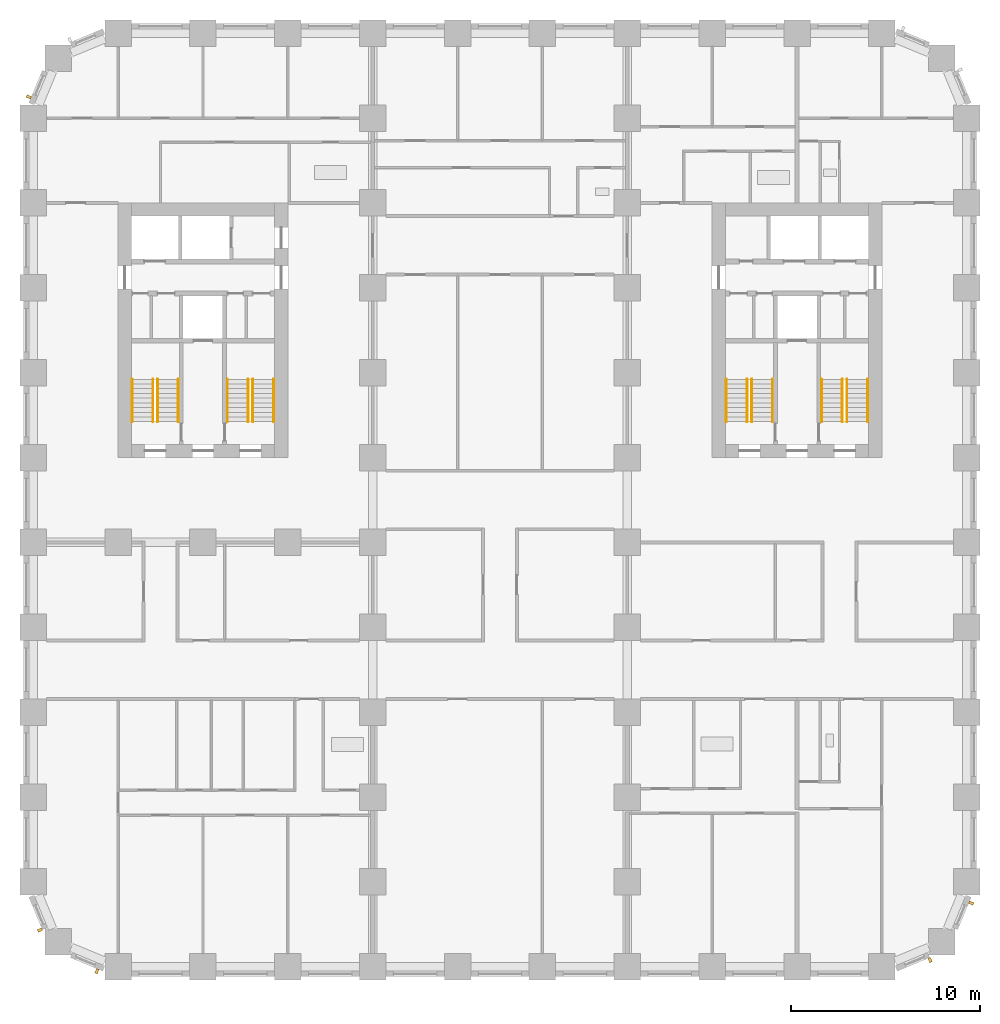
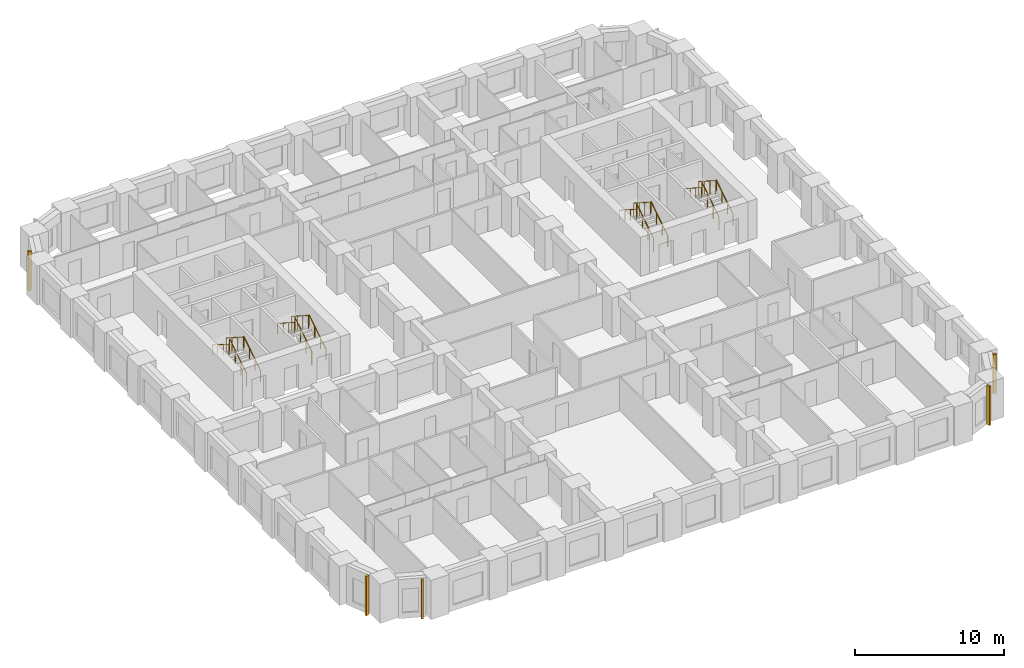
# One storey, part 11 of 13: 16 railings, 5 shading devices.
"""IFC4 building model written with IfcOpenShell, lengths in metres."""

from ifc_helpers import new_model, si_unit, direction, frame, origin, origin_2d, place, context, subcontext, project, spatial, rectangle, circle, extrude, material, type_object, element, save


model = new_model("IFC4")

# Units and contexts
model_context = context("Model", 3, precision=1e-05, world=origin(), true_north=direction((0.0, 1.0)))
body_context = subcontext(model_context, "Body", "Model", "MODEL_VIEW")
ifc_project = project(units=[si_unit("LENGTHUNIT", "METRE"), si_unit("AREAUNIT", "SQUARE_METRE"), si_unit("VOLUMEUNIT", "CUBIC_METRE"), si_unit("PLANEANGLEUNIT", "RADIAN"), si_unit("MASSUNIT", "GRAM", prefix="KILO")], contexts=[model_context])

# Site, building, storey
site_placement = place(None, origin())
site = spatial("IfcSite", under=ifc_project, at=site_placement, CompositionType="ELEMENT")
building_placement = place(site_placement, origin())
building = spatial("IfcBuilding", under=site, at=building_placement, Name="Girih Gate Residences", CompositionType="ELEMENT")
storey_placement = place(building_placement, frame((0.0, 0.0, 43.199951171875)))
storey = spatial("IfcBuildingStorey", under=building, at=storey_placement, Name="L10", CompositionType="ELEMENT", Elevation=43.199951171875)

# Shading devices
ifc_material_1 = material(Name="Precast concrete C50/60", Category="concrete")
shading_device_type = type_object("IfcShadingDeviceType", Name="Corner rib 150x250", PredefinedType="USERDEFINED", material=ifc_material_1)
for number, where, z_axis, x_axis, name in (
    (1, (0.35498046875, 1.9443359375, 0.0), (0.0, 0.0, 1.0), (0.382683432365, -0.923879532511, 0.0), "Corner rib SW0000_0045.0"),
    (2, (3.376220703125, -0.238037109375, 0.0), (0.0, 0.0, 1.0), (0.923879532511, -0.382683432365, 0.0), "Corner rib SW0013_0013.0"),
    (3, (47.5556640625, 0.35498046875, 0.0), (0.0, 0.0, 1.0), (0.923879532511, 0.382683432365, 0.0), "Corner rib SE0450_0000.0"),
    (4, (49.738037109375, 3.376220703125, 0.0), (0.0, 0.0, 1.0), (0.382683432365, 0.923879532511, 0.0), "Corner rib SE0482_0013.0"),
    (5, (-0.238037109375, 46.123779296875, 0.0), (0.0, 0.0, 1.0), (-0.382683432365, -0.923879532511, 0.0), "Corner rib NW0013_0482.0"),
):
    element("IfcShadingDevice", number, at=place(storey_placement, frame(where, z_axis=z_axis, x_axis=x_axis)), inside=storey, type_object=shading_device_type, Name=name, ObjectType="FIN", PredefinedType="USERDEFINED", context=body_context, shape_type="SweptSolid", body=[
        extrude(rectangle(XDim=0.14990234375, YDim=0.25, at=origin_2d()), origin(), (0.0, 0.0, 1.0), 3.199951171875),
    ])

# Railings
ifc_material_2 = material(Name="Stainless steel", Category="steel")
railing_type_1 = type_object("IfcRailingType", Name="Stair guard 1100", PredefinedType="GUARDRAIL", material=ifc_material_2)
railing_1_placement = place(storey_placement, frame((6.60009765625, 28.89990234375, 0.16015625)))
element("IfcRailing", 6, at=railing_1_placement, inside=storey, type_object=railing_type_1, Name="L10 ST-W1 stair guard 1", PredefinedType="GUARDRAIL", context=body_context, shape_type="SweptSolid", body=[
    extrude(circle(Radius=0.02392578125, at=origin_2d()), frame((0.0, 0.0, 1.076171875), z_axis=(0.0, 0.842281359387, 0.539038135598), x_axis=(-1.0, 0.0, 0.0)), (0.0, 0.0, 1.0), 2.67138671875),
    extrude(circle(Radius=0.02099609375, at=origin_2d()), origin(), (0.0, 0.0, 1.0), 1.052001953125),
    extrude(circle(Radius=0.02099609375, at=origin_2d()), frame((0.0, 0.75, 0.47998046875)), (0.0, 0.0, 1.0), 1.052001953125),
    extrude(circle(Radius=0.02099609375, at=origin_2d()), frame((0.0, 1.5, 0.9599609375)), (0.0, 0.0, 1.0), 1.052001953125),
    extrude(circle(Radius=0.02099609375, at=origin_2d()), frame((0.0, 2.25, 1.43994140625)), (0.0, 0.0, 1.0), 1.052001953125),
])
railing_2_placement = place(storey_placement, frame((6.35009765625, 31.14990234375, 1.760009765625)))
element("IfcRailing", 7, at=railing_2_placement, inside=storey, type_object=railing_type_1, Name="L10 ST-W1 stair guard 2", PredefinedType="GUARDRAIL", context=body_context, shape_type="SweptSolid", body=[
    extrude(circle(Radius=0.02392578125, at=origin_2d()), frame((0.0, 0.0, 1.076171875), z_axis=(0.0, -0.842281359387, 0.539038135598), x_axis=(1.0, 0.0, 0.0)), (0.0, 0.0, 1.0), 2.67138671875),
    extrude(circle(Radius=0.02099609375, at=origin_2d()), origin(), (0.0, 0.0, 1.0), 1.052001953125),
    extrude(circle(Radius=0.02099609375, at=origin_2d()), frame((0.0, -0.75, 0.47998046875)), (0.0, 0.0, 1.0), 1.052001953125),
    extrude(circle(Radius=0.02099609375, at=origin_2d()), frame((0.0, -1.5, 0.9599609375)), (0.0, 0.0, 1.0), 1.052001953125),
    extrude(circle(Radius=0.02099609375, at=origin_2d()), frame((0.0, -2.25, 1.43994140625)), (0.0, 0.0, 1.0), 1.052001953125),
])
railing_3_placement = place(storey_placement, frame((11.64990234375, 28.89990234375, 0.16015625)))
element("IfcRailing", 8, at=railing_3_placement, inside=storey, type_object=railing_type_1, Name="L10 ST-W2 stair guard 1", PredefinedType="GUARDRAIL", context=body_context, shape_type="SweptSolid", body=[
    extrude(circle(Radius=0.02392578125, at=origin_2d()), frame((0.0, 0.0, 1.076171875), z_axis=(0.0, 0.842281359387, 0.539038135598), x_axis=(-1.0, 0.0, 0.0)), (0.0, 0.0, 1.0), 2.67138671875),
    extrude(circle(Radius=0.02099609375, at=origin_2d()), origin(), (0.0, 0.0, 1.0), 1.052001953125),
    extrude(circle(Radius=0.02099609375, at=origin_2d()), frame((0.0, 0.75, 0.47998046875)), (0.0, 0.0, 1.0), 1.052001953125),
    extrude(circle(Radius=0.02099609375, at=origin_2d()), frame((0.0, 1.5, 0.9599609375)), (0.0, 0.0, 1.0), 1.052001953125),
    extrude(circle(Radius=0.02099609375, at=origin_2d()), frame((0.0, 2.25, 1.43994140625)), (0.0, 0.0, 1.0), 1.052001953125),
])
railing_4_placement = place(storey_placement, frame((11.39990234375, 31.14990234375, 1.760009765625)))
element("IfcRailing", 9, at=railing_4_placement, inside=storey, type_object=railing_type_1, Name="L10 ST-W2 stair guard 2", PredefinedType="GUARDRAIL", context=body_context, shape_type="SweptSolid", body=[
    extrude(circle(Radius=0.02392578125, at=origin_2d()), frame((0.0, 0.0, 1.076171875), z_axis=(0.0, -0.842281359387, 0.539038135598), x_axis=(1.0, 0.0, 0.0)), (0.0, 0.0, 1.0), 2.67138671875),
    extrude(circle(Radius=0.02099609375, at=origin_2d()), origin(), (0.0, 0.0, 1.0), 1.052001953125),
    extrude(circle(Radius=0.02099609375, at=origin_2d()), frame((0.0, -0.75, 0.47998046875)), (0.0, 0.0, 1.0), 1.052001953125),
    extrude(circle(Radius=0.02099609375, at=origin_2d()), frame((0.0, -1.5, 0.9599609375)), (0.0, 0.0, 1.0), 1.052001953125),
    extrude(circle(Radius=0.02099609375, at=origin_2d()), frame((0.0, -2.25, 1.43994140625)), (0.0, 0.0, 1.0), 1.052001953125),
])
railing_5_placement = place(storey_placement, frame((43.14990234375, 28.89990234375, 0.16015625)))
element("IfcRailing", 10, at=railing_5_placement, inside=storey, type_object=railing_type_1, Name="L10 ST-E1 stair guard 1", PredefinedType="GUARDRAIL", context=body_context, shape_type="SweptSolid", body=[
    extrude(circle(Radius=0.02392578125, at=origin_2d()), frame((0.0, 0.0, 1.076171875), z_axis=(0.0, 0.842281359387, 0.539038135598), x_axis=(-1.0, 0.0, 0.0)), (0.0, 0.0, 1.0), 2.67138671875),
    extrude(circle(Radius=0.02099609375, at=origin_2d()), origin(), (0.0, 0.0, 1.0), 1.052001953125),
    extrude(circle(Radius=0.02099609375, at=origin_2d()), frame((0.0, 0.75, 0.47998046875)), (0.0, 0.0, 1.0), 1.052001953125),
    extrude(circle(Radius=0.02099609375, at=origin_2d()), frame((0.0, 1.5, 0.9599609375)), (0.0, 0.0, 1.0), 1.052001953125),
    extrude(circle(Radius=0.02099609375, at=origin_2d()), frame((0.0, 2.25, 1.43994140625)), (0.0, 0.0, 1.0), 1.052001953125),
])
railing_6_placement = place(storey_placement, frame((42.89990234375, 31.14990234375, 1.760009765625)))
element("IfcRailing", 11, at=railing_6_placement, inside=storey, type_object=railing_type_1, Name="L10 ST-E1 stair guard 2", PredefinedType="GUARDRAIL", context=body_context, shape_type="SweptSolid", body=[
    extrude(circle(Radius=0.02392578125, at=origin_2d()), frame((0.0, 0.0, 1.076171875), z_axis=(0.0, -0.842281359387, 0.539038135598), x_axis=(1.0, 0.0, 0.0)), (0.0, 0.0, 1.0), 2.67138671875),
    extrude(circle(Radius=0.02099609375, at=origin_2d()), origin(), (0.0, 0.0, 1.0), 1.052001953125),
    extrude(circle(Radius=0.02099609375, at=origin_2d()), frame((0.0, -0.75, 0.47998046875)), (0.0, 0.0, 1.0), 1.052001953125),
    extrude(circle(Radius=0.02099609375, at=origin_2d()), frame((0.0, -1.5, 0.9599609375)), (0.0, 0.0, 1.0), 1.052001953125),
    extrude(circle(Radius=0.02099609375, at=origin_2d()), frame((0.0, -2.25, 1.43994140625)), (0.0, 0.0, 1.0), 1.052001953125),
])
railing_7_placement = place(storey_placement, frame((38.10009765625, 28.89990234375, 0.16015625)))
element("IfcRailing", 12, at=railing_7_placement, inside=storey, type_object=railing_type_1, Name="L10 ST-E2 stair guard 1", PredefinedType="GUARDRAIL", context=body_context, shape_type="SweptSolid", body=[
    extrude(circle(Radius=0.02392578125, at=origin_2d()), frame((0.0, 0.0, 1.076171875), z_axis=(0.0, 0.842281359387, 0.539038135598), x_axis=(-1.0, 0.0, 0.0)), (0.0, 0.0, 1.0), 2.67138671875),
    extrude(circle(Radius=0.02099609375, at=origin_2d()), origin(), (0.0, 0.0, 1.0), 1.052001953125),
    extrude(circle(Radius=0.02099609375, at=origin_2d()), frame((0.0, 0.75, 0.47998046875)), (0.0, 0.0, 1.0), 1.052001953125),
    extrude(circle(Radius=0.02099609375, at=origin_2d()), frame((0.0, 1.5, 0.9599609375)), (0.0, 0.0, 1.0), 1.052001953125),
    extrude(circle(Radius=0.02099609375, at=origin_2d()), frame((0.0, 2.25, 1.43994140625)), (0.0, 0.0, 1.0), 1.052001953125),
])
railing_8_placement = place(storey_placement, frame((37.85009765625, 31.14990234375, 1.760009765625)))
element("IfcRailing", 13, at=railing_8_placement, inside=storey, type_object=railing_type_1, Name="L10 ST-E2 stair guard 2", PredefinedType="GUARDRAIL", context=body_context, shape_type="SweptSolid", body=[
    extrude(circle(Radius=0.02392578125, at=origin_2d()), frame((0.0, 0.0, 1.076171875), z_axis=(0.0, -0.842281359387, 0.539038135598), x_axis=(1.0, 0.0, 0.0)), (0.0, 0.0, 1.0), 2.67138671875),
    extrude(circle(Radius=0.02099609375, at=origin_2d()), origin(), (0.0, 0.0, 1.0), 1.052001953125),
    extrude(circle(Radius=0.02099609375, at=origin_2d()), frame((0.0, -0.75, 0.47998046875)), (0.0, 0.0, 1.0), 1.052001953125),
    extrude(circle(Radius=0.02099609375, at=origin_2d()), frame((0.0, -1.5, 0.9599609375)), (0.0, 0.0, 1.0), 1.052001953125),
    extrude(circle(Radius=0.02099609375, at=origin_2d()), frame((0.0, -2.25, 1.43994140625)), (0.0, 0.0, 1.0), 1.052001953125),
])
railing_type_2 = type_object("IfcRailingType", Name="Stair handrail 900", PredefinedType="HANDRAIL", material=ifc_material_2)
railing_9_placement = place(storey_placement, frame((7.699951171875, 28.89990234375, 0.16015625)))
element("IfcRailing", 14, at=railing_9_placement, inside=storey, type_object=railing_type_2, Name="L10 ST-W1 stair handrail 1", PredefinedType="HANDRAIL", context=body_context, shape_type="SweptSolid", body=[
    extrude(circle(Radius=0.02392578125, at=origin_2d()), frame((0.0, 0.0, 0.8857421875), z_axis=(0.0, 0.842281359387, 0.539038135598), x_axis=(-1.0, 0.0, 0.0)), (0.0, 0.0, 1.0), 2.67138671875),
    extrude(circle(Radius=0.02099609375, at=origin_2d()), origin(), (0.0, 0.0, 1.0), 0.86181640625),
    extrude(circle(Radius=0.02099609375, at=origin_2d()), frame((0.0, 0.75, 0.47998046875)), (0.0, 0.0, 1.0), 0.86181640625),
    extrude(circle(Radius=0.02099609375, at=origin_2d()), frame((0.0, 1.5, 0.9599609375)), (0.0, 0.0, 1.0), 0.86181640625),
    extrude(circle(Radius=0.02099609375, at=origin_2d()), frame((0.0, 2.25, 1.43994140625)), (0.0, 0.0, 1.0), 0.86181640625),
])
railing_10_placement = place(storey_placement, frame((5.25, 31.14990234375, 1.760009765625)))
element("IfcRailing", 15, at=railing_10_placement, inside=storey, type_object=railing_type_2, Name="L10 ST-W1 stair handrail 2", PredefinedType="HANDRAIL", context=body_context, shape_type="SweptSolid", body=[
    extrude(circle(Radius=0.02392578125, at=origin_2d()), frame((0.0, 0.0, 0.8857421875), z_axis=(0.0, -0.842281359387, 0.539038135598), x_axis=(1.0, 0.0, 0.0)), (0.0, 0.0, 1.0), 2.67138671875),
    extrude(circle(Radius=0.02099609375, at=origin_2d()), origin(), (0.0, 0.0, 1.0), 0.86181640625),
    extrude(circle(Radius=0.02099609375, at=origin_2d()), frame((0.0, -0.75, 0.47998046875)), (0.0, 0.0, 1.0), 0.86181640625),
    extrude(circle(Radius=0.02099609375, at=origin_2d()), frame((0.0, -1.5, 0.9599609375)), (0.0, 0.0, 1.0), 0.86181640625),
    extrude(circle(Radius=0.02099609375, at=origin_2d()), frame((0.0, -2.25, 1.43994140625)), (0.0, 0.0, 1.0), 0.86181640625),
])
railing_11_placement = place(storey_placement, frame((12.75, 28.89990234375, 0.16015625)))
element("IfcRailing", 16, at=railing_11_placement, inside=storey, type_object=railing_type_2, Name="L10 ST-W2 stair handrail 1", PredefinedType="HANDRAIL", context=body_context, shape_type="SweptSolid", body=[
    extrude(circle(Radius=0.02392578125, at=origin_2d()), frame((0.0, 0.0, 0.8857421875), z_axis=(0.0, 0.842281359387, 0.539038135598), x_axis=(-1.0, 0.0, 0.0)), (0.0, 0.0, 1.0), 2.67138671875),
    extrude(circle(Radius=0.02099609375, at=origin_2d()), origin(), (0.0, 0.0, 1.0), 0.86181640625),
    extrude(circle(Radius=0.02099609375, at=origin_2d()), frame((0.0, 0.75, 0.47998046875)), (0.0, 0.0, 1.0), 0.86181640625),
    extrude(circle(Radius=0.02099609375, at=origin_2d()), frame((0.0, 1.5, 0.9599609375)), (0.0, 0.0, 1.0), 0.86181640625),
    extrude(circle(Radius=0.02099609375, at=origin_2d()), frame((0.0, 2.25, 1.43994140625)), (0.0, 0.0, 1.0), 0.86181640625),
])
railing_12_placement = place(storey_placement, frame((10.300048828125, 31.14990234375, 1.760009765625)))
element("IfcRailing", 17, at=railing_12_placement, inside=storey, type_object=railing_type_2, Name="L10 ST-W2 stair handrail 2", PredefinedType="HANDRAIL", context=body_context, shape_type="SweptSolid", body=[
    extrude(circle(Radius=0.02392578125, at=origin_2d()), frame((0.0, 0.0, 0.8857421875), z_axis=(0.0, -0.842281359387, 0.539038135598), x_axis=(1.0, 0.0, 0.0)), (0.0, 0.0, 1.0), 2.67138671875),
    extrude(circle(Radius=0.02099609375, at=origin_2d()), origin(), (0.0, 0.0, 1.0), 0.86181640625),
    extrude(circle(Radius=0.02099609375, at=origin_2d()), frame((0.0, -0.75, 0.47998046875)), (0.0, 0.0, 1.0), 0.86181640625),
    extrude(circle(Radius=0.02099609375, at=origin_2d()), frame((0.0, -1.5, 0.9599609375)), (0.0, 0.0, 1.0), 0.86181640625),
    extrude(circle(Radius=0.02099609375, at=origin_2d()), frame((0.0, -2.25, 1.43994140625)), (0.0, 0.0, 1.0), 0.86181640625),
])
railing_13_placement = place(storey_placement, frame((44.25, 28.89990234375, 0.16015625)))
element("IfcRailing", 18, at=railing_13_placement, inside=storey, type_object=railing_type_2, Name="L10 ST-E1 stair handrail 1", PredefinedType="HANDRAIL", context=body_context, shape_type="SweptSolid", body=[
    extrude(circle(Radius=0.02392578125, at=origin_2d()), frame((0.0, 0.0, 0.8857421875), z_axis=(0.0, 0.842281359387, 0.539038135598), x_axis=(-1.0, 0.0, 0.0)), (0.0, 0.0, 1.0), 2.67138671875),
    extrude(circle(Radius=0.02099609375, at=origin_2d()), origin(), (0.0, 0.0, 1.0), 0.86181640625),
    extrude(circle(Radius=0.02099609375, at=origin_2d()), frame((0.0, 0.75, 0.47998046875)), (0.0, 0.0, 1.0), 0.86181640625),
    extrude(circle(Radius=0.02099609375, at=origin_2d()), frame((0.0, 1.5, 0.9599609375)), (0.0, 0.0, 1.0), 0.86181640625),
    extrude(circle(Radius=0.02099609375, at=origin_2d()), frame((0.0, 2.25, 1.43994140625)), (0.0, 0.0, 1.0), 0.86181640625),
])
railing_14_placement = place(storey_placement, frame((41.800048828125, 31.14990234375, 1.760009765625)))
element("IfcRailing", 19, at=railing_14_placement, inside=storey, type_object=railing_type_2, Name="L10 ST-E1 stair handrail 2", PredefinedType="HANDRAIL", context=body_context, shape_type="SweptSolid", body=[
    extrude(circle(Radius=0.02392578125, at=origin_2d()), frame((0.0, 0.0, 0.8857421875), z_axis=(0.0, -0.842281359387, 0.539038135598), x_axis=(1.0, 0.0, 0.0)), (0.0, 0.0, 1.0), 2.67138671875),
    extrude(circle(Radius=0.02099609375, at=origin_2d()), origin(), (0.0, 0.0, 1.0), 0.86181640625),
    extrude(circle(Radius=0.02099609375, at=origin_2d()), frame((0.0, -0.75, 0.47998046875)), (0.0, 0.0, 1.0), 0.86181640625),
    extrude(circle(Radius=0.02099609375, at=origin_2d()), frame((0.0, -1.5, 0.9599609375)), (0.0, 0.0, 1.0), 0.86181640625),
    extrude(circle(Radius=0.02099609375, at=origin_2d()), frame((0.0, -2.25, 1.43994140625)), (0.0, 0.0, 1.0), 0.86181640625),
])
railing_15_placement = place(storey_placement, frame((39.199951171875, 28.89990234375, 0.16015625)))
element("IfcRailing", 20, at=railing_15_placement, inside=storey, type_object=railing_type_2, Name="L10 ST-E2 stair handrail 1", PredefinedType="HANDRAIL", context=body_context, shape_type="SweptSolid", body=[
    extrude(circle(Radius=0.02392578125, at=origin_2d()), frame((0.0, 0.0, 0.8857421875), z_axis=(0.0, 0.842281359387, 0.539038135598), x_axis=(-1.0, 0.0, 0.0)), (0.0, 0.0, 1.0), 2.67138671875),
    extrude(circle(Radius=0.02099609375, at=origin_2d()), origin(), (0.0, 0.0, 1.0), 0.86181640625),
    extrude(circle(Radius=0.02099609375, at=origin_2d()), frame((0.0, 0.75, 0.47998046875)), (0.0, 0.0, 1.0), 0.86181640625),
    extrude(circle(Radius=0.02099609375, at=origin_2d()), frame((0.0, 1.5, 0.9599609375)), (0.0, 0.0, 1.0), 0.86181640625),
    extrude(circle(Radius=0.02099609375, at=origin_2d()), frame((0.0, 2.25, 1.43994140625)), (0.0, 0.0, 1.0), 0.86181640625),
])
railing_16_placement = place(storey_placement, frame((36.75, 31.14990234375, 1.760009765625)))
element("IfcRailing", 21, at=railing_16_placement, inside=storey, type_object=railing_type_2, Name="L10 ST-E2 stair handrail 2", PredefinedType="HANDRAIL", context=body_context, shape_type="SweptSolid", body=[
    extrude(circle(Radius=0.02392578125, at=origin_2d()), frame((0.0, 0.0, 0.8857421875), z_axis=(0.0, -0.842281359387, 0.539038135598), x_axis=(1.0, 0.0, 0.0)), (0.0, 0.0, 1.0), 2.67138671875),
    extrude(circle(Radius=0.02099609375, at=origin_2d()), origin(), (0.0, 0.0, 1.0), 0.86181640625),
    extrude(circle(Radius=0.02099609375, at=origin_2d()), frame((0.0, -0.75, 0.47998046875)), (0.0, 0.0, 1.0), 0.86181640625),
    extrude(circle(Radius=0.02099609375, at=origin_2d()), frame((0.0, -1.5, 0.9599609375)), (0.0, 0.0, 1.0), 0.86181640625),
    extrude(circle(Radius=0.02099609375, at=origin_2d()), frame((0.0, -2.25, 1.43994140625)), (0.0, 0.0, 1.0), 0.86181640625),
])

save(model, "model.ifc")
